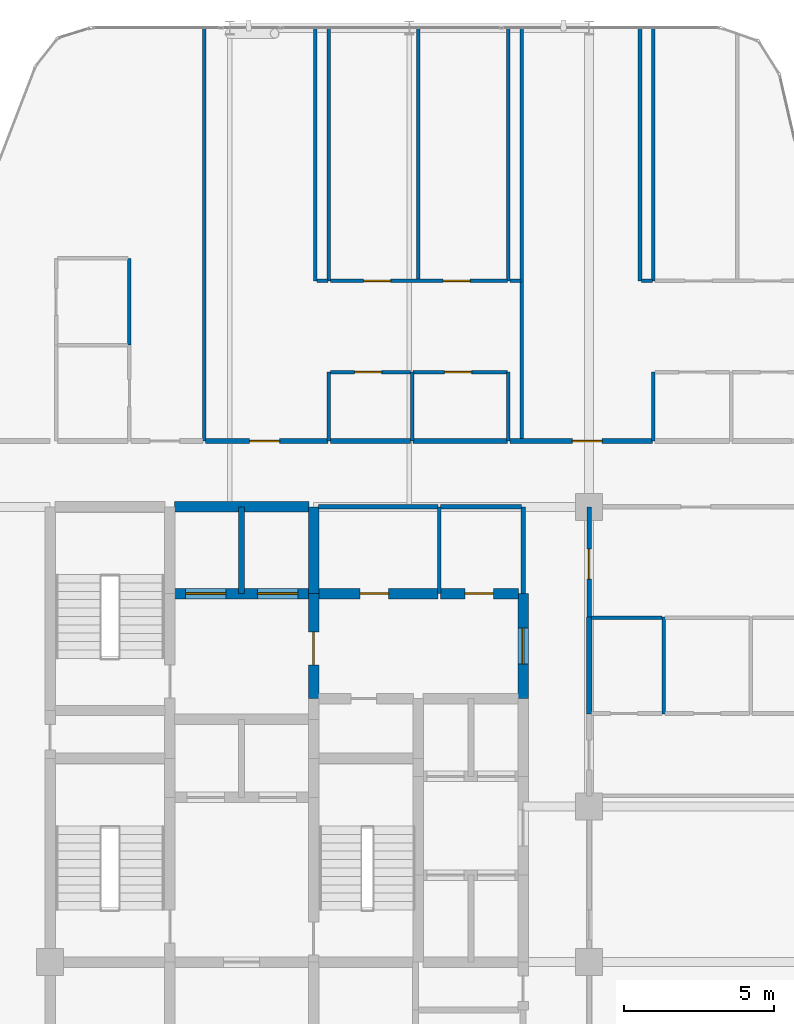
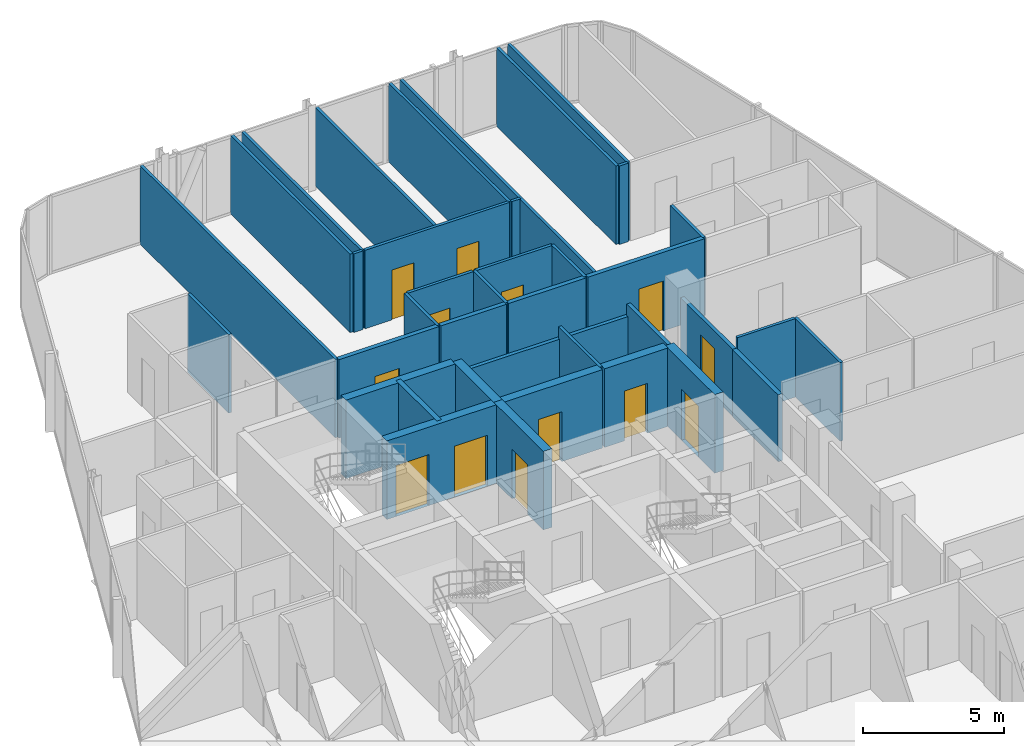
# One storey, part 27 of 29: 39 walls, 13 doors, 13 openings.
"""IFC4 building model written with IfcOpenShell, lengths in metres."""

from ifc_helpers import new_model, si_unit, direction, frame, frame_2d, origin, place, context, subcontext, project, spatial, rectangle, extrude, material, layer, layer_set, type_object, element, fill, save


model = new_model("IFC4")

# Units and contexts
model_context = context("Model", 3, precision=1e-05, world=origin(), true_north=direction((0.0, 1.0)))
body_context = subcontext(model_context, "Body", "Model", "MODEL_VIEW")
ifc_project = project(units=[si_unit("LENGTHUNIT", "METRE"), si_unit("AREAUNIT", "SQUARE_METRE"), si_unit("VOLUMEUNIT", "CUBIC_METRE"), si_unit("PLANEANGLEUNIT", "RADIAN"), si_unit("MASSUNIT", "GRAM", prefix="KILO")], contexts=[model_context])

# Site, building, storey
site_placement = place(None, origin())
site = spatial("IfcSite", under=ifc_project, at=site_placement, CompositionType="ELEMENT")
building_placement = place(site_placement, origin())
building = spatial("IfcBuilding", under=site, at=building_placement, Name="Keshet Zoharim Tower", CompositionType="ELEMENT")
storey_placement = place(building_placement, frame((0.0, 0.0, 195.800048828125)))
storey = spatial("IfcBuildingStorey", under=building, at=storey_placement, Name="L48", CompositionType="ELEMENT", Elevation=195.800048828125)

# Wall
ifc_material_1 = material(Name="Gypsum Plasterboard", Category="gypsum")
ifc_layer_1 = layer(ifc_material_1, 0.14990234375)
ifc_layer_set_1 = layer_set([ifc_layer_1], Name="Gypsum Plasterboard")
wall_type_1 = type_object("IfcWallType", Name="WL-CLIN-150", PredefinedType="STANDARD", material=ifc_layer_set_1)
wall_1_placement = place(storey_placement, frame((30.800048828125, 35.0, 0.0), z_axis=(0.0, 0.0, 1.0), x_axis=(0.0, 1.0, 0.0)))
element("IfcWall", 1, at=wall_1_placement, inside=storey, type_object=wall_type_1, Name="L48 Interior Wall 069", PredefinedType="STANDARD", context=body_context, shape_type="SweptSolid", body=[
    extrude(rectangle(XDim=2.89990234375, YDim=0.14990234375, at=frame_2d((1.449951171875, 0.0))), origin(), (0.0, 0.0, 1.0), 3.389892578125),
])

# Wall, opening, door
wall_2_placement = place(storey_placement, frame((33.0, 34.219970703125, 0.0), z_axis=(0.0, 0.0, 1.0), x_axis=(0.0, 1.0, 0.0)))
wall_2 = element("IfcWall", 2, at=wall_2_placement, inside=storey, type_object=wall_type_1, Name="L48 Interior Wall 076", PredefinedType="STANDARD", context=body_context, shape_type="SweptSolid", body=[
    extrude(rectangle(XDim=3.679931640625, YDim=0.14990234375, at=frame_2d((1.83984375, 0.0))), origin(), (0.0, 0.0, 1.0), 2.889892578125),
])
opening_1_placement = place(wall_2_placement, frame((1.26806640625, 0.0, 0.0)))
opening_1 = element("IfcOpeningElement", 3, at=opening_1_placement, cuts=wall_2, Name="Opening D-F310", PredefinedType="OPENING", context=body_context, shape_type="SweptSolid", body=[
    extrude(rectangle(XDim=1.0, YDim=2.14990234375, at=frame_2d((0.5, 1.074951171875))), frame((0.0, 0.0849609375, 0.0), z_axis=(0.0, -1.0, 0.0), x_axis=(1.0, 0.0, 0.0)), (0.0, 0.0, 1.0), 0.169921875),
])
ifc_material_2 = material(Name="Hardwood Timber", Category="wood")
door_type_1 = type_object("IfcDoorType", Name="DR-FD30-100", OperationType="NOTDEFINED", PredefinedType="DOOR", material=ifc_material_2)
door_1_placement = place(opening_1_placement, origin())
door_1 = element("IfcDoor", 4, at=door_1_placement, inside=storey, type_object=door_type_1, Name="L48 North West Residents Services Suite Door 2", OperationType="SINGLE_SWING_LEFT", OverallHeight=2.14990234375, OverallWidth=1.0, PredefinedType="DOOR", context=body_context, shape_type="SweptSolid", body=[
    extrude(rectangle(XDim=1.0, YDim=2.14990234375, at=frame_2d((0.5, 1.074951171875))), frame((0.0, 0.02490234375, 0.0), z_axis=(0.0, -1.0, 0.0), x_axis=(1.0, 0.0, 0.0)), (0.0, 0.0, 1.0), 0.050048828125),
])
fill(opening_1, door_1)

# Walls
wall_3_placement = place(storey_placement, frame((23.9599609375, 37.89990234375, 0.0), z_axis=(0.0, 0.0, 1.0), x_axis=(1.0, 0.0, 0.0)))
element("IfcWall", 5, at=wall_3_placement, inside=storey, type_object=wall_type_1, Name="L48 Interior Wall 179", PredefinedType="STANDARD", context=body_context, shape_type="SweptSolid", body=[
    extrude(rectangle(XDim=3.9951171875, YDim=0.14990234375, at=frame_2d((1.99755859375, 0.0))), origin(), (0.0, 0.0, 1.0), 2.889892578125),
])
wall_4_placement = place(storey_placement, frame((28.044921875, 37.89990234375, 0.0), z_axis=(0.0, 0.0, 1.0), x_axis=(1.0, 0.0, 0.0)))
element("IfcWall", 6, at=wall_4_placement, inside=storey, type_object=wall_type_1, Name="L48 Interior Wall 180", PredefinedType="STANDARD", context=body_context, shape_type="SweptSolid", body=[
    extrude(rectangle(XDim=2.695068359375, YDim=0.14990234375, at=frame_2d((1.34765625, 0.0))), origin(), (0.0, 0.0, 1.0), 2.889892578125),
])

# Wall, opening, door
ifc_material_3 = material(Name="Concrete C60/75", Category="concrete")
ifc_layer_2 = layer(ifc_material_3, 0.35009765625)
ifc_layer_set_2 = layer_set([ifc_layer_2], Name="Concrete C60/75")
wall_type_2 = type_object("IfcWallType", Name="WL-CORE-350", PredefinedType="SHEAR", material=ifc_layer_set_2)
wall_5_placement = place(storey_placement, frame((23.800048828125, 31.5, 0.0), z_axis=(0.0, 0.0, 1.0), x_axis=(0.0, 1.0, 0.0)))
wall_5 = element("IfcWall", 7, at=wall_5_placement, inside=storey, type_object=wall_type_2, Name="L48 Core Shear Wall 042", PredefinedType="SHEAR", context=body_context, shape_type="SweptSolid", body=[
    extrude(rectangle(XDim=3.5, YDim=0.35009765625, at=frame_2d((1.75, 0.0))), origin(), (0.0, 0.0, 1.0), 3.389892578125),
])
opening_2_placement = place(wall_5_placement, frame((1.126953125, 0.0, 0.0)))
opening_2 = element("IfcOpeningElement", 8, at=opening_2_placement, cuts=wall_5, Name="Opening D-F611", PredefinedType="OPENING", context=body_context, shape_type="SweptSolid", body=[
    extrude(rectangle(XDim=1.10009765625, YDim=2.14990234375, at=frame_2d((0.550048828125, 1.074951171875))), frame((0.0, 0.18505859375, 0.0), z_axis=(0.0, -1.0, 0.0), x_axis=(1.0, 0.0, 0.0)), (0.0, 0.0, 1.0), 0.3701171875),
])
door_type_2 = type_object("IfcDoorType", Name="DR-FD60-110", OperationType="NOTDEFINED", PredefinedType="DOOR", material=ifc_material_2)
door_2_placement = place(opening_2_placement, origin())
door_2 = element("IfcDoor", 9, at=door_2_placement, inside=storey, type_object=door_type_2, Name="L48 Firefighting Lobby Fire Door", OperationType="SINGLE_SWING_LEFT", OverallHeight=2.14990234375, OverallWidth=1.10009765625, PredefinedType="DOOR", context=body_context, shape_type="SweptSolid", body=[
    extrude(rectangle(XDim=1.10009765625, YDim=2.14990234375, at=frame_2d((0.550048828125, 1.074951171875))), frame((0.0, 0.02490234375, 0.0), z_axis=(0.0, -1.0, 0.0), x_axis=(1.0, 0.0, 0.0)), (0.0, 0.0, 1.0), 0.050048828125),
])
fill(opening_2, door_2)

# Wall
wall_6_placement = place(storey_placement, frame((23.800048828125, 35.0, 0.0), z_axis=(0.0, 0.0, 1.0), x_axis=(0.0, 1.0, 0.0)))
element("IfcWall", 10, at=wall_6_placement, inside=storey, type_object=wall_type_2, Name="L48 Core Shear Wall 043", PredefinedType="SHEAR", context=body_context, shape_type="SweptSolid", body=[
    extrude(rectangle(XDim=2.89990234375, YDim=0.35009765625, at=frame_2d((1.449951171875, 0.0))), origin(), (0.0, 0.0, 1.0), 3.389892578125),
])

# Wall, opening, door
wall_7_placement = place(storey_placement, frame((30.800048828125, 31.5, 0.0), z_axis=(0.0, 0.0, 1.0), x_axis=(0.0, 1.0, 0.0)))
wall_7 = element("IfcWall", 11, at=wall_7_placement, inside=storey, type_object=wall_type_2, Name="L48 Core Shear Wall 068", PredefinedType="SHEAR", context=body_context, shape_type="SweptSolid", body=[
    extrude(rectangle(XDim=3.5, YDim=0.35009765625, at=frame_2d((1.75, 0.0))), origin(), (0.0, 0.0, 1.0), 3.389892578125),
])
opening_3_placement = place(wall_7_placement, frame((1.14990234375, 0.0, 0.0)))
opening_3 = element("IfcOpeningElement", 12, at=opening_3_placement, cuts=wall_7, Name="Opening D-F612", PredefinedType="OPENING", context=body_context, shape_type="SweptSolid", body=[
    extrude(rectangle(XDim=1.199951171875, YDim=2.199951171875, at=frame_2d((0.60009765625, 1.10009765625))), frame((0.0, 0.18505859375, 0.0), z_axis=(0.0, -1.0, 0.0), x_axis=(1.0, 0.0, 0.0)), (0.0, 0.0, 1.0), 0.3701171875),
])
door_type_3 = type_object("IfcDoorType", Name="DR-FD60-120", OperationType="NOTDEFINED", PredefinedType="DOOR", material=ifc_material_2)
door_3_placement = place(opening_3_placement, origin())
door_3 = element("IfcDoor", 13, at=door_3_placement, inside=storey, type_object=door_type_3, Name="L48 North Lift Lobby East Fire Door", OperationType="SINGLE_SWING_RIGHT", OverallHeight=2.199951171875, OverallWidth=1.199951171875, PredefinedType="DOOR", context=body_context, shape_type="SweptSolid", body=[
    extrude(rectangle(XDim=1.199951171875, YDim=2.199951171875, at=frame_2d((0.60009765625, 1.10009765625))), frame((0.0, 0.02490234375, 0.0), z_axis=(0.0, -1.0, 0.0), x_axis=(1.0, 0.0, 0.0)), (0.0, 0.0, 1.0), 0.050048828125),
])
fill(opening_3, door_3)

# Wall, openings, doors
wall_8_placement = place(storey_placement, frame((19.159912109375, 35.0, 0.0), z_axis=(0.0, 0.0, 1.0), x_axis=(1.0, 0.0, 0.0)))
wall_8 = element("IfcWall", 14, at=wall_8_placement, inside=storey, type_object=wall_type_2, Name="L48 Core Shear Wall 172", PredefinedType="SHEAR", context=body_context, shape_type="SweptSolid", body=[
    extrude(rectangle(XDim=4.47998046875, YDim=0.35009765625, at=frame_2d((2.239990234375, 0.0))), origin(), (0.0, 0.0, 1.0), 3.389892578125),
])
opening_4_placement = place(wall_8_placement, frame((0.364990234375, 0.0, 0.0)))
opening_4 = element("IfcOpeningElement", 15, at=opening_4_placement, cuts=wall_8, Name="Opening LD-02", PredefinedType="OPENING", context=body_context, shape_type="SweptSolid", body=[
    extrude(rectangle(XDim=1.35009765625, YDim=2.199951171875, at=frame_2d((0.675048828125, 1.10009765625))), frame((0.0, 0.18505859375, 0.0), z_axis=(0.0, -1.0, 0.0), x_axis=(1.0, 0.0, 0.0)), (0.0, 0.0, 1.0), 0.3701171875),
])
opening_5_placement = place(wall_8_placement, frame((2.764892578125, 0.0, 0.0)))
opening_5 = element("IfcOpeningElement", 16, at=opening_5_placement, cuts=wall_8, Name="Opening LD-02", PredefinedType="OPENING", context=body_context, shape_type="SweptSolid", body=[
    extrude(rectangle(XDim=1.35009765625, YDim=2.199951171875, at=frame_2d((0.675048828125, 1.10009765625))), frame((0.0, 0.18505859375, 0.0), z_axis=(0.0, -1.0, 0.0), x_axis=(1.0, 0.0, 0.0)), (0.0, 0.0, 1.0), 0.3701171875),
])
ifc_material_4 = material(Name="Steel S355", Category="steel")
door_type_4 = type_object("IfcDoorType", Name="DR-LD02-135", OperationType="DOUBLE_DOOR_SLIDING", PredefinedType="DOOR", material=ifc_material_4)
door_4_placement = place(opening_4_placement, origin())
door_4 = element("IfcDoor", 17, at=door_4_placement, inside=storey, type_object=door_type_4, Name="L48 Firefighting Lift Landing Door FF-01", OperationType="DOUBLE_DOOR_SLIDING", OverallHeight=2.199951171875, OverallWidth=1.35009765625, PredefinedType="DOOR", context=body_context, shape_type="SweptSolid", body=[
    extrude(rectangle(XDim=1.35009765625, YDim=2.199951171875, at=frame_2d((0.675048828125, 1.10009765625))), frame((0.0, 0.02490234375, 0.0), z_axis=(0.0, -1.0, 0.0), x_axis=(1.0, 0.0, 0.0)), (0.0, 0.0, 1.0), 0.050048828125),
])
fill(opening_4, door_4)
door_5_placement = place(opening_5_placement, origin())
door_5 = element("IfcDoor", 18, at=door_5_placement, inside=storey, type_object=door_type_4, Name="L48 Firefighting Lift Landing Door FF-02", OperationType="DOUBLE_DOOR_SLIDING", OverallHeight=2.199951171875, OverallWidth=1.35009765625, PredefinedType="DOOR", context=body_context, shape_type="SweptSolid", body=[
    extrude(rectangle(XDim=1.35009765625, YDim=2.199951171875, at=frame_2d((0.675048828125, 1.10009765625))), frame((0.0, 0.02490234375, 0.0), z_axis=(0.0, -1.0, 0.0), x_axis=(1.0, 0.0, 0.0)), (0.0, 0.0, 1.0), 0.050048828125),
])
fill(opening_5, door_5)

# Wall, opening, door
wall_9_placement = place(storey_placement, frame((23.9599609375, 35.0, 0.0), z_axis=(0.0, 0.0, 1.0), x_axis=(1.0, 0.0, 0.0)))
wall_9 = element("IfcWall", 19, at=wall_9_placement, inside=storey, type_object=wall_type_2, Name="L48 Core Shear Wall 173", PredefinedType="SHEAR", context=body_context, shape_type="SweptSolid", body=[
    extrude(rectangle(XDim=3.9951171875, YDim=0.35009765625, at=frame_2d((1.99755859375, 0.0))), origin(), (0.0, 0.0, 1.0), 3.389892578125),
])
opening_6_placement = place(wall_9_placement, frame((1.39306640625, 0.0, 0.0)))
opening_6 = element("IfcOpeningElement", 20, at=opening_6_placement, cuts=wall_9, Name="Opening D-F695", PredefinedType="OPENING", context=body_context, shape_type="SweptSolid", body=[
    extrude(rectangle(XDim=0.949951171875, YDim=2.14990234375, at=frame_2d((0.47509765625, 1.074951171875))), frame((0.0, 0.18505859375, 0.0), z_axis=(0.0, -1.0, 0.0), x_axis=(1.0, 0.0, 0.0)), (0.0, 0.0, 1.0), 0.3701171875),
])
door_type_5 = type_object("IfcDoorType", Name="DR-FD60-095", OperationType="NOTDEFINED", PredefinedType="DOOR", material=ifc_material_2)
door_6_placement = place(opening_6_placement, frame((0.949951171875, 0.0, 0.0), z_axis=(0.0, 0.0, 1.0), x_axis=(-1.0, 0.0, 0.0)))
door_6 = element("IfcDoor", 21, at=door_6_placement, inside=storey, type_object=door_type_5, Name="L48 Laundry Room Door", OperationType="SINGLE_SWING_RIGHT", OverallHeight=2.14990234375, OverallWidth=0.949951171875, PredefinedType="DOOR", context=body_context, shape_type="SweptSolid", body=[
    extrude(rectangle(XDim=0.949951171875, YDim=2.14990234375, at=frame_2d((0.47509765625, 1.074951171875))), frame((0.0, 0.02490234375, 0.0), z_axis=(0.0, -1.0, 0.0), x_axis=(1.0, 0.0, 0.0)), (0.0, 0.0, 1.0), 0.050048828125),
])
fill(opening_6, door_6)

wall_10_placement = place(storey_placement, frame((28.044921875, 35.0, 0.0), z_axis=(0.0, 0.0, 1.0), x_axis=(1.0, 0.0, 0.0)))
wall_10 = element("IfcWall", 22, at=wall_10_placement, inside=storey, type_object=wall_type_2, Name="L48 Core Shear Wall 174", PredefinedType="SHEAR", context=body_context, shape_type="SweptSolid", body=[
    extrude(rectangle(XDim=2.594970703125, YDim=0.35009765625, at=frame_2d((1.29736328125, 0.0))), origin(), (0.0, 0.0, 1.0), 3.389892578125),
])
opening_7_placement = place(wall_10_placement, frame((0.805908203125, 0.0, 0.0)))
opening_7 = element("IfcOpeningElement", 23, at=opening_7_placement, cuts=wall_10, Name="Opening D-F695", PredefinedType="OPENING", context=body_context, shape_type="SweptSolid", body=[
    extrude(rectangle(XDim=0.949951171875, YDim=2.14990234375, at=frame_2d((0.47509765625, 1.074951171875))), frame((0.0, 0.18505859375, 0.0), z_axis=(0.0, -1.0, 0.0), x_axis=(1.0, 0.0, 0.0)), (0.0, 0.0, 1.0), 0.3701171875),
])
door_7_placement = place(opening_7_placement, frame((0.949951171875, 0.0, 0.0), z_axis=(0.0, 0.0, 1.0), x_axis=(-1.0, 0.0, 0.0)))
door_7 = element("IfcDoor", 24, at=door_7_placement, inside=storey, type_object=door_type_5, Name="L48 Quiet Study Room Door", OperationType="SINGLE_SWING_LEFT", OverallHeight=2.14990234375, OverallWidth=0.949951171875, PredefinedType="DOOR", context=body_context, shape_type="SweptSolid", body=[
    extrude(rectangle(XDim=0.949951171875, YDim=2.14990234375, at=frame_2d((0.47509765625, 1.074951171875))), frame((0.0, 0.02490234375, 0.0), z_axis=(0.0, -1.0, 0.0), x_axis=(1.0, 0.0, 0.0)), (0.0, 0.0, 1.0), 0.050048828125),
])
fill(opening_7, door_7)

# Walls
wall_11_placement = place(storey_placement, frame((19.159912109375, 37.89990234375, 0.0), z_axis=(0.0, 0.0, 1.0), x_axis=(1.0, 0.0, 0.0)))
element("IfcWall", 25, at=wall_11_placement, inside=storey, type_object=wall_type_2, Name="L48 Core Shear Wall 178", PredefinedType="SHEAR", context=body_context, shape_type="SweptSolid", body=[
    extrude(rectangle(XDim=4.47998046875, YDim=0.35009765625, at=frame_2d((2.239990234375, 0.0))), origin(), (0.0, 0.0, 1.0), 3.389892578125),
])
ifc_layer_3 = layer(ifc_material_1, 0.179931640625)
ifc_layer_set_3 = layer_set([ifc_layer_3], Name="Gypsum Plasterboard")
wall_type_3 = type_object("IfcWallType", Name="WL-CORR-180", PredefinedType="STANDARD", material=ifc_layer_set_3)
wall_12_placement = place(storey_placement, frame((33.0, 30.989990234375, 0.0), z_axis=(0.0, 0.0, 1.0), x_axis=(0.0, 1.0, 0.0)))
element("IfcWall", 26, at=wall_12_placement, inside=storey, type_object=wall_type_3, Name="L48 Interior Wall 075", PredefinedType="STANDARD", context=body_context, shape_type="SweptSolid", body=[
    extrude(rectangle(XDim=3.22998046875, YDim=0.179931640625, at=frame_2d((1.614990234375, 0.0))), origin(), (0.0, 0.0, 1.0), 2.889892578125),
])

# Wall, opening, door
wall_13_placement = place(storey_placement, frame((20.195068359375, 40.10009765625, 0.0), z_axis=(0.0, 0.0, 1.0), x_axis=(1.0, 0.0, 0.0)))
wall_13 = element("IfcWall", 27, at=wall_13_placement, inside=storey, type_object=wall_type_3, Name="L48 Interior Wall 186", PredefinedType="STANDARD", context=body_context, shape_type="SweptSolid", body=[
    extrude(rectangle(XDim=4.079833984375, YDim=0.179931640625, at=frame_2d((2.0400390625, 0.0))), origin(), (0.0, 0.0, 1.0), 3.389892578125),
])
opening_8_placement = place(wall_13_placement, frame((1.469970703125, 0.0, 0.0)))
opening_8 = element("IfcOpeningElement", 28, at=opening_8_placement, cuts=wall_13, Name="Opening D-F310", PredefinedType="OPENING", context=body_context, shape_type="SweptSolid", body=[
    extrude(rectangle(XDim=1.0, YDim=2.14990234375, at=frame_2d((0.5, 1.074951171875))), frame((0.0, 0.10009765625, 0.0), z_axis=(0.0, -1.0, 0.0), x_axis=(1.0, 0.0, 0.0)), (0.0, 0.0, 1.0), 0.199951171875),
])
door_8_placement = place(opening_8_placement, origin())
door_8 = element("IfcDoor", 29, at=door_8_placement, inside=storey, type_object=door_type_1, Name="Apartment 4806 Entrance Door", OperationType="SINGLE_SWING_RIGHT", OverallHeight=2.14990234375, OverallWidth=1.0, PredefinedType="DOOR", context=body_context, shape_type="SweptSolid", body=[
    extrude(rectangle(XDim=1.0, YDim=2.14990234375, at=frame_2d((0.5, 1.074951171875))), frame((0.0, 0.02490234375, 0.0), z_axis=(0.0, -1.0, 0.0), x_axis=(1.0, 0.0, 0.0)), (0.0, 0.0, 1.0), 0.050048828125),
])
fill(opening_8, door_8)

# Walls
wall_14_placement = place(storey_placement, frame((24.364990234375, 40.10009765625, 0.0), z_axis=(0.0, 0.0, 1.0), x_axis=(1.0, 0.0, 0.0)))
element("IfcWall", 30, at=wall_14_placement, inside=storey, type_object=wall_type_3, Name="L48 Interior Wall 187", PredefinedType="STANDARD", context=body_context, shape_type="SweptSolid", body=[
    extrude(rectangle(XDim=2.669921875, YDim=0.179931640625, at=frame_2d((1.3349609375, 0.0))), origin(), (0.0, 0.0, 1.0), 3.389892578125),
])
wall_15_placement = place(storey_placement, frame((27.125, 40.10009765625, 0.0), z_axis=(0.0, 0.0, 1.0), x_axis=(1.0, 0.0, 0.0)))
element("IfcWall", 31, at=wall_15_placement, inside=storey, type_object=wall_type_3, Name="L48 Interior Wall 188", PredefinedType="STANDARD", context=body_context, shape_type="SweptSolid", body=[
    extrude(rectangle(XDim=3.14990234375, YDim=0.179931640625, at=frame_2d((1.574951171875, 0.0))), origin(), (0.0, 0.0, 1.0), 3.389892578125),
])

# Wall, opening, door
wall_16_placement = place(storey_placement, frame((30.364990234375, 40.10009765625, 0.0), z_axis=(0.0, 0.0, 1.0), x_axis=(1.0, 0.0, 0.0)))
wall_16 = element("IfcWall", 32, at=wall_16_placement, inside=storey, type_object=wall_type_3, Name="L48 Interior Wall 189", PredefinedType="STANDARD", context=body_context, shape_type="SweptSolid", body=[
    extrude(rectangle(XDim=4.75, YDim=0.179931640625, at=frame_2d((2.375, 0.0))), origin(), (0.0, 0.0, 1.0), 3.389892578125),
])
opening_9_placement = place(wall_16_placement, frame((2.074951171875, 0.0, 0.0)))
opening_9 = element("IfcOpeningElement", 33, at=opening_9_placement, cuts=wall_16, Name="Opening D-F310", PredefinedType="OPENING", context=body_context, shape_type="SweptSolid", body=[
    extrude(rectangle(XDim=1.0, YDim=2.14990234375, at=frame_2d((0.5, 1.074951171875))), frame((0.0, 0.10009765625, 0.0), z_axis=(0.0, -1.0, 0.0), x_axis=(1.0, 0.0, 0.0)), (0.0, 0.0, 1.0), 0.199951171875),
])
door_9_placement = place(opening_9_placement, origin())
door_9 = element("IfcDoor", 34, at=door_9_placement, inside=storey, type_object=door_type_1, Name="Apartment 4807 Entrance Door", OperationType="SINGLE_SWING_LEFT", OverallHeight=2.14990234375, OverallWidth=1.0, PredefinedType="DOOR", context=body_context, shape_type="SweptSolid", body=[
    extrude(rectangle(XDim=1.0, YDim=2.14990234375, at=frame_2d((0.5, 1.074951171875))), frame((0.0, 0.02490234375, 0.0), z_axis=(0.0, -1.0, 0.0), x_axis=(1.0, 0.0, 0.0)), (0.0, 0.0, 1.0), 0.050048828125),
])
fill(opening_9, door_9)

# Walls
ifc_material_5 = material(Name="Concrete C50/60", Category="concrete")
ifc_layer_4 = layer(ifc_material_5, 0.199951171875)
ifc_layer_set_4 = layer_set([ifc_layer_4], Name="Concrete C50/60")
wall_type_4 = type_object("IfcWallType", Name="WL-FIRE-200", PredefinedType="STANDARD", material=ifc_layer_set_4)
wall_17_placement = place(storey_placement, frame((21.39990234375, 35.0, 0.0), z_axis=(0.0, 0.0, 1.0), x_axis=(0.0, 1.0, 0.0)))
element("IfcWall", 35, at=wall_17_placement, inside=storey, type_object=wall_type_4, Name="L48 Interior Wall 036", PredefinedType="STANDARD", context=body_context, shape_type="SweptSolid", body=[
    extrude(rectangle(XDim=2.89990234375, YDim=0.199951171875, at=frame_2d((1.449951171875, 0.0))), origin(), (0.0, 0.0, 1.0), 3.389892578125),
])
ifc_layer_5 = layer(ifc_material_1, 0.1201171875)
ifc_layer_set_5 = layer_set([ifc_layer_5], Name="Gypsum Plasterboard")
wall_type_5 = type_object("IfcWallType", Name="WL-PART-120", PredefinedType="PARTITIONING", material=ifc_layer_set_5)
wall_18_placement = place(storey_placement, frame((20.14990234375, 40.10009765625, 0.0), z_axis=(0.0, 0.0, 1.0), x_axis=(0.0, 1.0, 0.0)))
element("IfcWall", 36, at=wall_18_placement, inside=storey, type_object=wall_type_5, Name="L48 Interior Wall 033", PredefinedType="PARTITIONING", context=body_context, shape_type="SweptSolid", body=[
    extrude(rectangle(XDim=13.789794921875, YDim=0.1201171875, at=frame_2d((6.89501953125, 0.0))), origin(), (0.0, 0.0, 1.0), 3.389892578125),
])
wall_19_placement = place(storey_placement, frame((23.85009765625, 45.449951171875, 0.0), z_axis=(0.0, 0.0, 1.0), x_axis=(0.0, 1.0, 0.0)))
element("IfcWall", 37, at=wall_19_placement, inside=storey, type_object=wall_type_5, Name="L48 Interior Wall 044", PredefinedType="PARTITIONING", context=body_context, shape_type="SweptSolid", body=[
    extrude(rectangle(XDim=8.43994140625, YDim=0.1201171875, at=frame_2d((4.219970703125, 0.0))), origin(), (0.0, 0.0, 1.0), 3.389892578125),
])
wall_20_placement = place(storey_placement, frame((24.300048828125, 40.10009765625, 0.0), z_axis=(0.0, 0.0, 1.0), x_axis=(0.0, 1.0, 0.0)))
element("IfcWall", 38, at=wall_20_placement, inside=storey, type_object=wall_type_5, Name="L48 Interior Wall 045", PredefinedType="PARTITIONING", context=body_context, shape_type="SweptSolid", body=[
    extrude(rectangle(XDim=2.2998046875, YDim=0.1201171875, at=frame_2d((1.14990234375, 0.0))), origin(), (0.0, 0.0, 1.0), 3.389892578125),
])
for number, where, z_axis, x_axis, name in (
    (39, (24.300048828125, 45.449951171875, 0.0), (0.0, 0.0, 1.0), (0.0, 1.0, 0.0), "L48 Interior Wall 046"),
    (40, (27.300048828125, 45.449951171875, 0.0), (0.0, 0.0, 1.0), (0.0, 1.0, 0.0), "L48 Interior Wall 055"),
):
    element("IfcWall", number, at=place(storey_placement, frame(where, z_axis=z_axis, x_axis=x_axis)), inside=storey, type_object=wall_type_5, Name=name, PredefinedType="PARTITIONING", context=body_context, shape_type="SweptSolid", body=[
        extrude(rectangle(XDim=8.43994140625, YDim=0.1201171875, at=frame_2d((4.219970703125, 0.0))), origin(), (0.0, 0.0, 1.0), 3.389892578125),
    ])
wall_21_placement = place(storey_placement, frame((28.0, 35.0, 0.0), z_axis=(0.0, 0.0, 1.0), x_axis=(0.0, 1.0, 0.0)))
element("IfcWall", 41, at=wall_21_placement, inside=storey, type_object=wall_type_5, Name="L48 Interior Wall 056", PredefinedType="PARTITIONING", context=body_context, shape_type="SweptSolid", body=[
    extrude(rectangle(XDim=2.89990234375, YDim=0.1201171875, at=frame_2d((1.449951171875, 0.0))), origin(), (0.0, 0.0, 1.0), 3.389892578125),
])
wall_22_placement = place(storey_placement, frame((30.300048828125, 45.449951171875, 0.0), z_axis=(0.0, 0.0, 1.0), x_axis=(0.0, 1.0, 0.0)))
element("IfcWall", 42, at=wall_22_placement, inside=storey, type_object=wall_type_5, Name="L48 Interior Wall 061", PredefinedType="PARTITIONING", context=body_context, shape_type="SweptSolid", body=[
    extrude(rectangle(XDim=8.43994140625, YDim=0.1201171875, at=frame_2d((4.219970703125, 0.0))), origin(), (0.0, 0.0, 1.0), 3.389892578125),
])
wall_23_placement = place(storey_placement, frame((30.75, 40.10009765625, 0.0), z_axis=(0.0, 0.0, 1.0), x_axis=(0.0, 1.0, 0.0)))
element("IfcWall", 43, at=wall_23_placement, inside=storey, type_object=wall_type_5, Name="L48 Interior Wall 062", PredefinedType="PARTITIONING", context=body_context, shape_type="SweptSolid", body=[
    extrude(rectangle(XDim=13.789794921875, YDim=0.1201171875, at=frame_2d((6.89501953125, 0.0))), origin(), (0.0, 0.0, 1.0), 3.389892578125),
])
wall_24_placement = place(storey_placement, frame((34.699951171875, 45.449951171875, 0.0), z_axis=(0.0, 0.0, 1.0), x_axis=(0.0, 1.0, 0.0)))
element("IfcWall", 44, at=wall_24_placement, inside=storey, type_object=wall_type_5, Name="L48 Interior Wall 077", PredefinedType="PARTITIONING", context=body_context, shape_type="SweptSolid", body=[
    extrude(rectangle(XDim=8.43994140625, YDim=0.1201171875, at=frame_2d((4.219970703125, 0.0))), origin(), (0.0, 0.0, 1.0), 3.389892578125),
])
wall_25_placement = place(storey_placement, frame((35.14990234375, 40.10009765625, 0.0), z_axis=(0.0, 0.0, 1.0), x_axis=(0.0, 1.0, 0.0)))
element("IfcWall", 45, at=wall_25_placement, inside=storey, type_object=wall_type_5, Name="L48 Interior Wall 078", PredefinedType="PARTITIONING", context=body_context, shape_type="SweptSolid", body=[
    extrude(rectangle(XDim=2.2998046875, YDim=0.1201171875, at=frame_2d((1.14990234375, 0.0))), origin(), (0.0, 0.0, 1.0), 3.389892578125),
])
wall_26_placement = place(storey_placement, frame((35.14990234375, 45.449951171875, 0.0), z_axis=(0.0, 0.0, 1.0), x_axis=(0.0, 1.0, 0.0)))
element("IfcWall", 46, at=wall_26_placement, inside=storey, type_object=wall_type_5, Name="L48 Interior Wall 079", PredefinedType="PARTITIONING", context=body_context, shape_type="SweptSolid", body=[
    extrude(rectangle(XDim=8.43994140625, YDim=0.1201171875, at=frame_2d((4.219970703125, 0.0))), origin(), (0.0, 0.0, 1.0), 3.389892578125),
])
wall_27_placement = place(storey_placement, frame((33.074951171875, 34.199951171875, 0.0), z_axis=(0.0, 0.0, 1.0), x_axis=(1.0, 0.0, 0.0)))
element("IfcWall", 47, at=wall_27_placement, inside=storey, type_object=wall_type_5, Name="L48 Interior Wall 169", PredefinedType="PARTITIONING", context=body_context, shape_type="SweptSolid", body=[
    extrude(rectangle(XDim=2.364013671875, YDim=0.1201171875, at=frame_2d((1.18212890625, 0.0))), origin(), (0.0, 0.0, 1.0), 3.389892578125),
])

# Wall, opening, door
wall_28_placement = place(storey_placement, frame((24.364990234375, 42.39990234375, 0.0), z_axis=(0.0, 0.0, 1.0), x_axis=(1.0, 0.0, 0.0)))
wall_28 = element("IfcWall", 48, at=wall_28_placement, inside=storey, type_object=wall_type_5, Name="L48 Interior Wall 195", PredefinedType="PARTITIONING", context=body_context, shape_type="SweptSolid", body=[
    extrude(rectangle(XDim=2.669921875, YDim=0.1201171875, at=frame_2d((1.3349609375, 0.0))), origin(), (0.0, 0.0, 1.0), 3.389892578125),
])
opening_10_placement = place(wall_28_placement, frame((0.81005859375, 0.0, 0.0)))
opening_10 = element("IfcOpeningElement", 49, at=opening_10_placement, cuts=wall_28, Name="Opening D-IN90", PredefinedType="OPENING", context=body_context, shape_type="SweptSolid", body=[
    extrude(rectangle(XDim=0.89990234375, YDim=2.14990234375, at=frame_2d((0.449951171875, 1.074951171875))), frame((0.0, 0.070068359375, 0.0), z_axis=(0.0, -1.0, 0.0), x_axis=(1.0, 0.0, 0.0)), (0.0, 0.0, 1.0), 0.14013671875),
])
door_type_6 = type_object("IfcDoorType", Name="DR-INT-090", OperationType="NOTDEFINED", PredefinedType="DOOR", material=ifc_material_2)
door_10_placement = place(opening_10_placement, origin())
door_10 = element("IfcDoor", 50, at=door_10_placement, inside=storey, type_object=door_type_6, Name="Apartment 4806 Kitchen Door", OperationType="SINGLE_SWING_RIGHT", OverallHeight=2.14990234375, OverallWidth=0.89990234375, PredefinedType="DOOR", context=body_context, shape_type="SweptSolid", body=[
    extrude(rectangle(XDim=0.89990234375, YDim=2.14990234375, at=frame_2d((0.449951171875, 1.074951171875))), frame((0.0, 0.02490234375, 0.0), z_axis=(0.0, -1.0, 0.0), x_axis=(1.0, 0.0, 0.0)), (0.0, 0.0, 1.0), 0.050048828125),
])
fill(opening_10, door_10)

# Wall
wall_29_placement = place(storey_placement, frame((23.9150390625, 45.449951171875, 0.0), z_axis=(0.0, 0.0, 1.0), x_axis=(1.0, 0.0, 0.0)))
element("IfcWall", 51, at=wall_29_placement, inside=storey, type_object=wall_type_5, Name="L48 Interior Wall 200", PredefinedType="PARTITIONING", context=body_context, shape_type="SweptSolid", body=[
    extrude(rectangle(XDim=0.35986328125, YDim=0.1201171875, at=frame_2d((0.179931640625, 0.0))), origin(), (0.0, 0.0, 1.0), 3.389892578125),
])

# Wall, openings, doors
wall_30_placement = place(storey_placement, frame((24.364990234375, 45.449951171875, 0.0), z_axis=(0.0, 0.0, 1.0), x_axis=(1.0, 0.0, 0.0)))
wall_30 = element("IfcWall", 52, at=wall_30_placement, inside=storey, type_object=wall_type_5, Name="L48 Interior Wall 201", PredefinedType="PARTITIONING", context=body_context, shape_type="SweptSolid", body=[
    extrude(rectangle(XDim=5.909912109375, YDim=0.1201171875, at=frame_2d((2.955078125, 0.0))), origin(), (0.0, 0.0, 1.0), 3.389892578125),
])
opening_11_placement = place(wall_30_placement, frame((1.110107421875, 0.0, 0.0)))
opening_11 = element("IfcOpeningElement", 53, at=opening_11_placement, cuts=wall_30, Name="Opening D-IN90", PredefinedType="OPENING", context=body_context, shape_type="SweptSolid", body=[
    extrude(rectangle(XDim=0.89990234375, YDim=2.14990234375, at=frame_2d((0.449951171875, 1.074951171875))), frame((0.0, 0.070068359375, 0.0), z_axis=(0.0, -1.0, 0.0), x_axis=(1.0, 0.0, 0.0)), (0.0, 0.0, 1.0), 0.14013671875),
])
opening_12_placement = place(wall_30_placement, frame((3.760009765625, 0.0, 0.0)))
opening_12 = element("IfcOpeningElement", 54, at=opening_12_placement, cuts=wall_30, Name="Opening D-IN90", PredefinedType="OPENING", context=body_context, shape_type="SweptSolid", body=[
    extrude(rectangle(XDim=0.89990234375, YDim=2.14990234375, at=frame_2d((0.449951171875, 1.074951171875))), frame((0.0, 0.070068359375, 0.0), z_axis=(0.0, -1.0, 0.0), x_axis=(1.0, 0.0, 0.0)), (0.0, 0.0, 1.0), 0.14013671875),
])
door_11_placement = place(opening_11_placement, origin())
door_11 = element("IfcDoor", 55, at=door_11_placement, inside=storey, type_object=door_type_6, Name="Apartment 4806 Bedroom 1 Door", OperationType="SINGLE_SWING_RIGHT", OverallHeight=2.14990234375, OverallWidth=0.89990234375, PredefinedType="DOOR", context=body_context, shape_type="SweptSolid", body=[
    extrude(rectangle(XDim=0.89990234375, YDim=2.14990234375, at=frame_2d((0.449951171875, 1.074951171875))), frame((0.0, 0.02490234375, 0.0), z_axis=(0.0, -1.0, 0.0), x_axis=(1.0, 0.0, 0.0)), (0.0, 0.0, 1.0), 0.050048828125),
])
fill(opening_11, door_11)
door_12_placement = place(opening_12_placement, origin())
door_12 = element("IfcDoor", 56, at=door_12_placement, inside=storey, type_object=door_type_6, Name="Apartment 4806 Bedroom 2 Door", OperationType="SINGLE_SWING_LEFT", OverallHeight=2.14990234375, OverallWidth=0.89990234375, PredefinedType="DOOR", context=body_context, shape_type="SweptSolid", body=[
    extrude(rectangle(XDim=0.89990234375, YDim=2.14990234375, at=frame_2d((0.449951171875, 1.074951171875))), frame((0.0, 0.02490234375, 0.0), z_axis=(0.0, -1.0, 0.0), x_axis=(1.0, 0.0, 0.0)), (0.0, 0.0, 1.0), 0.050048828125),
])
fill(opening_12, door_12)

# Walls
for number, where, z_axis, x_axis, name in (
    (57, (30.364990234375, 45.449951171875, 0.0), (0.0, 0.0, 1.0), (1.0, 0.0, 0.0), "L48 Interior Wall 202"),
    (58, (34.7548828125, 45.449951171875, 0.0), (0.0, 0.0, 1.0), (1.0, 0.0, 0.0), "L48 Interior Wall 203"),
):
    element("IfcWall", number, at=place(storey_placement, frame(where, z_axis=z_axis, x_axis=x_axis)), inside=storey, type_object=wall_type_5, Name=name, PredefinedType="PARTITIONING", context=body_context, shape_type="SweptSolid", body=[
        extrude(rectangle(XDim=0.360107421875, YDim=0.1201171875, at=frame_2d((0.18017578125, 0.0))), origin(), (0.0, 0.0, 1.0), 3.389892578125),
    ])
ifc_layer_6 = layer(ifc_material_1, 0.1201171875)
ifc_layer_set_6 = layer_set([ifc_layer_6], Name="Gypsum Plasterboard")
wall_type_6 = type_object("IfcWallType", Name="WL-WET-120", PredefinedType="PARTITIONING", material=ifc_layer_set_6)
wall_31_placement = place(storey_placement, frame((17.64990234375, 43.300048828125, 0.0), z_axis=(0.0, 0.0, 1.0), x_axis=(0.0, 1.0, 0.0)))
element("IfcWall", 59, at=wall_31_placement, inside=storey, type_object=wall_type_6, Name="L48 Interior Wall 025", PredefinedType="PARTITIONING", context=body_context, shape_type="SweptSolid", body=[
    extrude(rectangle(XDim=2.89990234375, YDim=0.1201171875, at=frame_2d((1.449951171875, 0.0))), origin(), (0.0, 0.0, 1.0), 3.389892578125),
])
for number, where, z_axis, x_axis, name in (
    (60, (27.10009765625, 40.10009765625, 0.0), (0.0, 0.0, 1.0), (0.0, 1.0, 0.0), "L48 Interior Wall 048"),
    (61, (30.300048828125, 40.10009765625, 0.0), (0.0, 0.0, 1.0), (0.0, 1.0, 0.0), "L48 Interior Wall 060"),
):
    element("IfcWall", number, at=place(storey_placement, frame(where, z_axis=z_axis, x_axis=x_axis)), inside=storey, type_object=wall_type_6, Name=name, PredefinedType="PARTITIONING", context=body_context, shape_type="SweptSolid", body=[
        extrude(rectangle(XDim=2.2998046875, YDim=0.1201171875, at=frame_2d((1.14990234375, 0.0))), origin(), (0.0, 0.0, 1.0), 3.389892578125),
    ])
wall_32_placement = place(storey_placement, frame((35.5, 30.989990234375, 0.0), z_axis=(0.0, 0.0, 1.0), x_axis=(0.0, 1.0, 0.0)))
element("IfcWall", 62, at=wall_32_placement, inside=storey, type_object=wall_type_6, Name="L48 Interior Wall 080", PredefinedType="PARTITIONING", context=body_context, shape_type="SweptSolid", body=[
    extrude(rectangle(XDim=3.22998046875, YDim=0.1201171875, at=frame_2d((1.614990234375, 0.0))), origin(), (0.0, 0.0, 1.0), 3.389892578125),
])

# Wall, opening, door
wall_33_placement = place(storey_placement, frame((27.125, 42.39990234375, 0.0), z_axis=(0.0, 0.0, 1.0), x_axis=(1.0, 0.0, 0.0)))
wall_33 = element("IfcWall", 63, at=wall_33_placement, inside=storey, type_object=wall_type_6, Name="L48 Interior Wall 196", PredefinedType="PARTITIONING", context=body_context, shape_type="SweptSolid", body=[
    extrude(rectangle(XDim=3.14990234375, YDim=0.1201171875, at=frame_2d((1.574951171875, 0.0))), origin(), (0.0, 0.0, 1.0), 3.389892578125),
])
opening_13_placement = place(wall_33_placement, frame((1.053955078125, 0.0, 0.0)))
opening_13 = element("IfcOpeningElement", 64, at=opening_13_placement, cuts=wall_33, Name="Opening D-WT90", PredefinedType="OPENING", context=body_context, shape_type="SweptSolid", body=[
    extrude(rectangle(XDim=0.89990234375, YDim=2.10009765625, at=frame_2d((0.449951171875, 1.050048828125))), frame((0.0, 0.070068359375, 0.0), z_axis=(0.0, -1.0, 0.0), x_axis=(1.0, 0.0, 0.0)), (0.0, 0.0, 1.0), 0.14013671875),
])
door_type_7 = type_object("IfcDoorType", Name="DR-WET-090", OperationType="NOTDEFINED", PredefinedType="DOOR", material=ifc_material_2)
door_13_placement = place(opening_13_placement, origin())
door_13 = element("IfcDoor", 65, at=door_13_placement, inside=storey, type_object=door_type_7, Name="Apartment 4806 Bathroom Door", OperationType="SINGLE_SWING_LEFT", OverallHeight=2.10009765625, OverallWidth=0.89990234375, PredefinedType="DOOR", context=body_context, shape_type="SweptSolid", body=[
    extrude(rectangle(XDim=0.89990234375, YDim=2.10009765625, at=frame_2d((0.449951171875, 1.050048828125))), frame((0.0, 0.02490234375, 0.0), z_axis=(0.0, -1.0, 0.0), x_axis=(1.0, 0.0, 0.0)), (0.0, 0.0, 1.0), 0.050048828125),
])
fill(opening_13, door_13)

save(model, "model.ifc")
